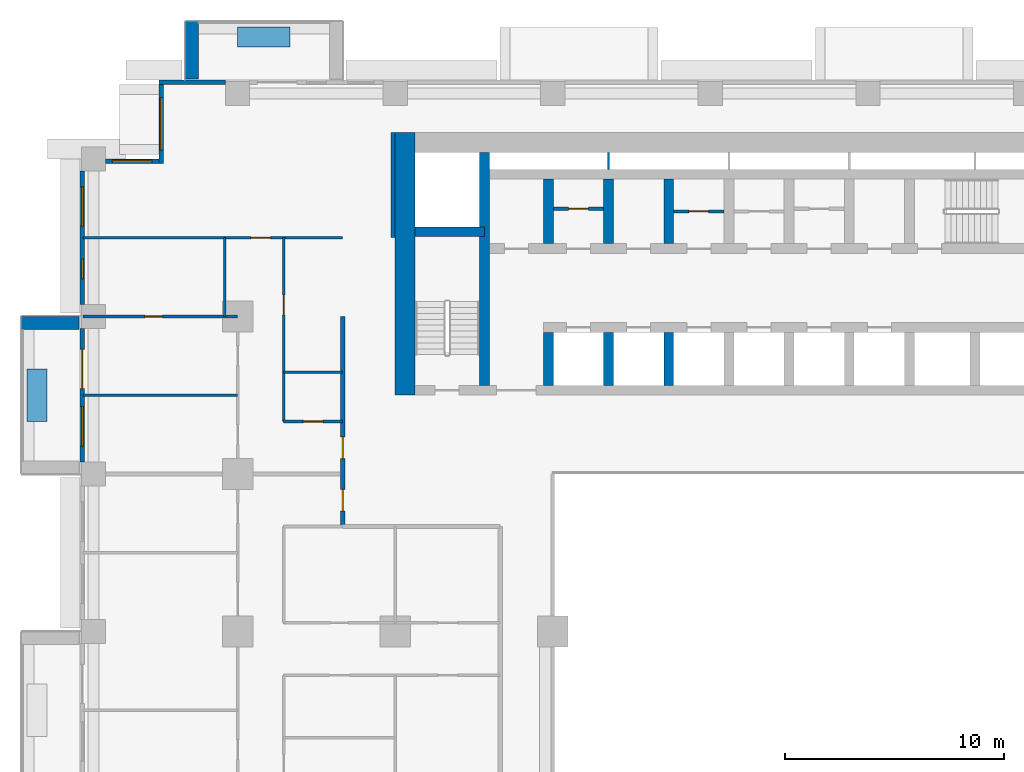
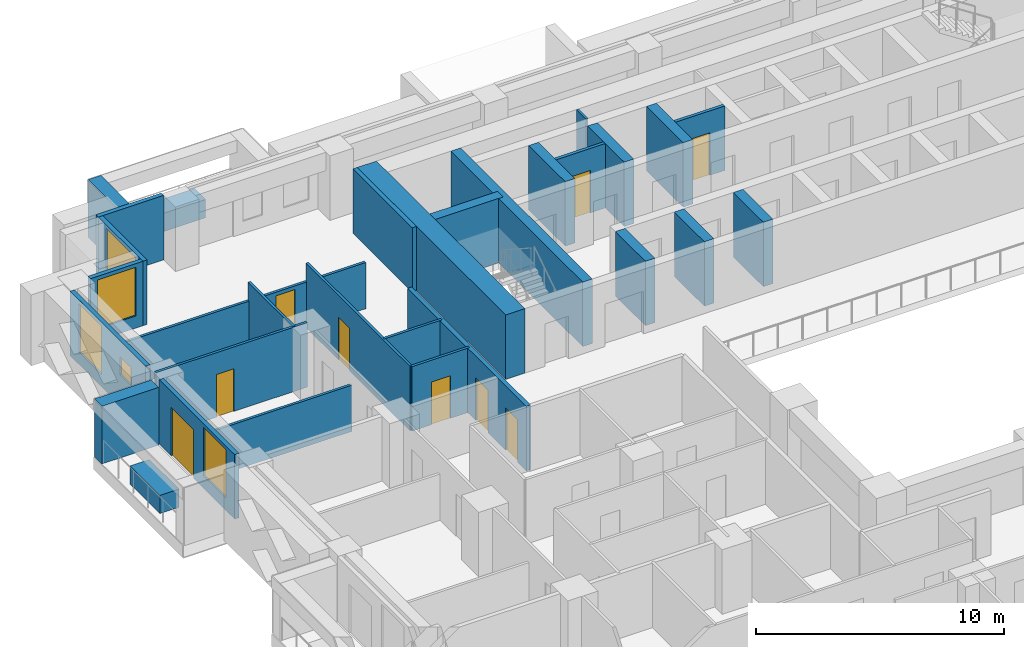
# One storey, part 9 of 17: 30 walls, 9 doors, 5 windows, 14 openings.
"""IFC4 building model written with IfcOpenShell, lengths in metres."""

from ifc_helpers import new_model, si_unit, direction, frame, frame_2d, origin, place, context, subcontext, project, spatial, rectangle, extrude, material, layer, layer_set, type_object, element, fill, save


model = new_model("IFC4")

# Units and contexts
model_context = context("Model", 3, precision=1e-05, world=origin(), true_north=direction((0.0, 1.0)))
body_context = subcontext(model_context, "Body", "Model", "MODEL_VIEW")
ifc_project = project(units=[si_unit("LENGTHUNIT", "METRE"), si_unit("AREAUNIT", "SQUARE_METRE"), si_unit("VOLUMEUNIT", "CUBIC_METRE"), si_unit("PLANEANGLEUNIT", "RADIAN"), si_unit("MASSUNIT", "GRAM", prefix="KILO")], contexts=[model_context])

# Site, building, storey
site_placement = place(None, origin())
site = spatial("IfcSite", under=ifc_project, at=site_placement, CompositionType="ELEMENT")
building_placement = place(site_placement, origin())
building = spatial("IfcBuilding", under=site, at=building_placement, Name="Saffron Iwan Residences", CompositionType="ELEMENT")
storey_placement = place(building_placement, frame((0.0, 0.0, 37.5)))
storey = spatial("IfcBuildingStorey", under=building, at=storey_placement, Name="L08", CompositionType="ELEMENT", Elevation=37.5)

# Walls
ifc_material_1 = material(Name="Concrete C50/60 white painted", Category="concrete")
ifc_layer_1 = layer(ifc_material_1, 0.60009765625)
ifc_layer_set_1 = layer_set([ifc_layer_1], Name="Concrete C50/60 white painted")
wall_type_1 = type_object("IfcWallType", Name="BALCONY FIN 600", PredefinedType="SOLIDWALL", material=ifc_layer_set_1)
for number, where, z_axis, x_axis, name in (
    (1, (19.5, 80.449951171875, 0.0), (0.0, 0.0, 1.0), (0.0, 1.0, 0.0), "Balcony fin L08 F5-3b"),
    (2, (14.35009765625, 69.300048828125, 0.0), (0.0, 0.0, 1.0), (-1.0, 0.0, 0.0), "Balcony fin L08 F8-0a"),
):
    element("IfcWall", number, at=place(storey_placement, frame(where, z_axis=z_axis, x_axis=x_axis)), inside=storey, type_object=wall_type_1, Name=name, PredefinedType="SOLIDWALL", context=body_context, shape_type="SweptSolid", body=[
        extrude(rectangle(XDim=2.650146484375, YDim=0.60009765625, at=frame_2d((1.3251953125, 0.0))), origin(), (0.0, 0.0, 1.0), 2.85009765625),
    ])
ifc_material_2 = material(Name="Concrete C35/45 white painted", Category="concrete")
ifc_layer_2 = layer(ifc_material_2, 0.14990234375)
ifc_layer_set_2 = layer_set([ifc_layer_2], Name="Concrete C35/45 white painted")
wall_type_2 = type_object("IfcWallType", Name="BALCONY PLANTER", PredefinedType="SOLIDWALL", material=ifc_layer_set_2)
for number, where, z_axis, x_axis, name in (
    (3, (24.0, 82.375, 0.0), (0.0, 0.0, 1.0), (-1.0, 0.0, 0.0), "PLANTER L08 F5-3"),
    (4, (12.425048828125, 67.199951171875, 0.0), (0.0, 0.0, 1.0), (0.0, -1.0, 0.0), "PLANTER L08 F8-0"),
):
    element("IfcWall", number, at=place(storey_placement, frame(where, z_axis=z_axis, x_axis=x_axis)), inside=storey, type_object=wall_type_2, Name=name, PredefinedType="SOLIDWALL", context=body_context, shape_type="SweptSolid", body=[
        extrude(rectangle(XDim=2.39990234375, YDim=0.89990234375, at=frame_2d((1.199951171875, 0.0))), origin(), (0.0, 0.0, 1.0), 0.89990234375),
    ])

# Wall, opening, door
ifc_material_3 = material(Name="Fire-rated plasterboard partition")
ifc_layer_3 = layer(ifc_material_3, 0.14990234375)
ifc_layer_set_3 = layer_set([ifc_layer_3], Name="Fire-rated plasterboard partition")
wall_type_3 = type_object("IfcWallType", Name="Core partition 150", PredefinedType="PARTITIONING", material=ifc_layer_set_3)
wall_1_placement = place(storey_placement, frame((36.02490234375, 74.51806640625, 0.0), z_axis=(0.0, 0.0, 1.0), x_axis=(1.0, 0.0, 0.0)))
wall_1 = element("IfcWall", 5, at=wall_1_placement, inside=storey, type_object=wall_type_3, Name="Core partition P01", PredefinedType="PARTITIONING", context=body_context, shape_type="SweptSolid", body=[
    extrude(rectangle(XDim=2.300048828125, YDim=0.14990234375, at=frame_2d((1.14990234375, 0.0))), origin(), (0.0, 0.0, 1.0), 3.179931640625),
])
opening_1_placement = place(wall_1_placement, frame((0.699951171875, 0.0, 0.0)))
opening_1 = element("IfcOpeningElement", 6, at=opening_1_placement, cuts=wall_1, Name="Opening SB", PredefinedType="OPENING", context=body_context, shape_type="SweptSolid", body=[
    extrude(rectangle(XDim=0.89990234375, YDim=2.10009765625, at=frame_2d((0.449951171875, 1.050048828125))), frame((0.0, 0.0849609375, 0.0), z_axis=(0.0, -1.0, 0.0), x_axis=(1.0, 0.0, 0.0)), (0.0, 0.0, 1.0), 0.169921875),
])
ifc_material_4 = material(Name="Steel fire door", Category="steel")
door_type_1 = type_object("IfcDoorType", Name="Store door 900", OperationType="NOTDEFINED", PredefinedType="DOOR", material=ifc_material_4)
door_1_placement = place(opening_1_placement, origin())
door_1 = element("IfcDoor", 7, at=door_1_placement, inside=storey, type_object=door_type_1, Name="Door Records store", OperationType="SINGLE_SWING_RIGHT", OverallHeight=2.10009765625, OverallWidth=0.89990234375, PredefinedType="DOOR", context=body_context, shape_type="SweptSolid", body=[
    extrude(rectangle(XDim=0.89990234375, YDim=2.10009765625, at=frame_2d((0.449951171875, 1.050048828125))), frame((0.0, 0.02490234375, 0.0), z_axis=(0.0, -1.0, 0.0), x_axis=(1.0, 0.0, 0.0)), (0.0, 0.0, 1.0), 0.050048828125),
])
fill(opening_1, door_1)

wall_2_placement = place(storey_placement, frame((41.52490234375, 74.39990234375, 0.0), z_axis=(0.0, 0.0, 1.0), x_axis=(1.0, 0.0, 0.0)))
wall_2 = element("IfcWall", 8, at=wall_2_placement, inside=storey, type_object=wall_type_3, Name="Core partition P02", PredefinedType="PARTITIONING", context=body_context, shape_type="SweptSolid", body=[
    extrude(rectangle(XDim=2.300048828125, YDim=0.14990234375, at=frame_2d((1.14990234375, 0.0))), origin(), (0.0, 0.0, 1.0), 3.179931640625),
])
opening_2_placement = place(wall_2_placement, frame((0.699951171875, 0.0, 0.0)))
opening_2 = element("IfcOpeningElement", 9, at=opening_2_placement, cuts=wall_2, Name="Opening SB", PredefinedType="OPENING", context=body_context, shape_type="SweptSolid", body=[
    extrude(rectangle(XDim=0.89990234375, YDim=2.10009765625, at=frame_2d((0.449951171875, 1.050048828125))), frame((0.0, 0.0849609375, 0.0), z_axis=(0.0, -1.0, 0.0), x_axis=(1.0, 0.0, 0.0)), (0.0, 0.0, 1.0), 0.169921875),
])
door_2_placement = place(opening_2_placement, origin())
door_2 = element("IfcDoor", 10, at=door_2_placement, inside=storey, type_object=door_type_1, Name="Door Tool store", OperationType="SINGLE_SWING_LEFT", OverallHeight=2.10009765625, OverallWidth=0.89990234375, PredefinedType="DOOR", context=body_context, shape_type="SweptSolid", body=[
    extrude(rectangle(XDim=0.89990234375, YDim=2.10009765625, at=frame_2d((0.449951171875, 1.050048828125))), frame((0.0, 0.02490234375, 0.0), z_axis=(0.0, -1.0, 0.0), x_axis=(1.0, 0.0, 0.0)), (0.0, 0.0, 1.0), 0.050048828125),
])
fill(opening_2, door_2)

# Wall
ifc_material_5 = material(Name="Concrete C40/50", Category="concrete")
ifc_layer_4 = layer(ifc_material_5, 0.199951171875)
ifc_layer_set_4 = layer_set([ifc_layer_4], Name="Concrete C40/50")
wall_type_4 = type_object("IfcWallType", Name="EXTERNAL WALL 200", PredefinedType="SOLIDWALL", material=ifc_layer_set_4)
wall_3_placement = place(storey_placement, frame((21.050048828125, 80.300048828125, 0.0), z_axis=(0.0, 0.0, 1.0), x_axis=(-1.0, 0.0, 0.0)))
element("IfcWall", 11, at=wall_3_placement, inside=storey, type_object=wall_type_4, Name="External wall L08 F5.9", PredefinedType="SOLIDWALL", context=body_context, shape_type="SweptSolid", body=[
    extrude(rectangle(XDim=3.050048828125, YDim=0.199951171875, at=frame_2d((1.52490234375, 0.0))), origin(), (0.0, 0.0, 1.0), 3.179931640625),
])

# Wall, opening, window
wall_4_placement = place(storey_placement, frame((18.10009765625, 80.199951171875, 0.0), z_axis=(0.0, 0.0, 1.0), x_axis=(0.0, -1.0, 0.0)))
wall_4 = element("IfcWall", 12, at=wall_4_placement, inside=storey, type_object=wall_type_4, Name="External wall L08 F6.0", PredefinedType="SOLIDWALL", context=body_context, shape_type="SweptSolid", body=[
    extrude(rectangle(XDim=3.599853515625, YDim=0.199951171875, at=frame_2d((1.7998046875, 0.0))), origin(), (0.0, 0.0, 1.0), 3.179931640625),
])
opening_3_placement = place(wall_4_placement, frame((0.60009765625, 0.0, 0.60009765625)))
opening_3 = element("IfcOpeningElement", 13, at=opening_3_placement, cuts=wall_4, Name="Opening W1", PredefinedType="OPENING", context=body_context, shape_type="SweptSolid", body=[
    extrude(rectangle(XDim=2.39990234375, YDim=2.39990234375, at=frame_2d((1.199951171875, 1.199951171875))), frame((0.0, 0.10986328125, 0.0), z_axis=(0.0, -1.0, 0.0), x_axis=(1.0, 0.0, 0.0)), (0.0, 0.0, 1.0), 0.219970703125),
])
ifc_material_6 = material(Name="Clear glass, laminated double glazed", Category="glass")
window_type_1 = type_object("IfcWindowType", Name="WINDOW 2400 x 2400", PartitioningType="DOUBLE_PANEL_VERTICAL", PredefinedType="WINDOW", material=ifc_material_6)
window_1_placement = place(opening_3_placement, origin())
window_1 = element("IfcWindow", 14, at=window_1_placement, inside=storey, type_object=window_type_1, Name="Window L08 F6.0", OverallHeight=2.39990234375, OverallWidth=2.39990234375, PartitioningType="DOUBLE_PANEL_VERTICAL", PredefinedType="WINDOW", context=body_context, shape_type="SweptSolid", body=[
    extrude(rectangle(XDim=2.39990234375, YDim=2.39990234375, at=frame_2d((1.199951171875, 1.199951171875))), frame((0.0, 0.030029296875, 0.0), z_axis=(0.0, -1.0, 0.0), x_axis=(1.0, 0.0, 0.0)), (0.0, 0.0, 1.0), 0.06005859375),
])
fill(opening_3, window_1)

wall_5_placement = place(storey_placement, frame((18.0, 76.699951171875, 0.0), z_axis=(0.0, 0.0, 1.0), x_axis=(-1.0, 0.0, 0.0)))
wall_5 = element("IfcWall", 15, at=wall_5_placement, inside=storey, type_object=wall_type_4, Name="External wall L08 F7.0", PredefinedType="SOLIDWALL", context=body_context, shape_type="SweptSolid", body=[
    extrude(rectangle(XDim=2.449951171875, YDim=0.199951171875, at=frame_2d((1.22509765625, 0.0))), origin(), (0.0, 0.0, 1.0), 3.179931640625),
])
opening_4_placement = place(wall_5_placement, frame((0.324951171875, 0.0, 0.60009765625)))
opening_4 = element("IfcOpeningElement", 16, at=opening_4_placement, cuts=wall_5, Name="Opening W8", PredefinedType="OPENING", context=body_context, shape_type="SweptSolid", body=[
    extrude(rectangle(XDim=1.800048828125, YDim=2.39990234375, at=frame_2d((0.89990234375, 1.199951171875))), frame((0.0, 0.10986328125, 0.0), z_axis=(0.0, -1.0, 0.0), x_axis=(1.0, 0.0, 0.0)), (0.0, 0.0, 1.0), 0.219970703125),
])
window_type_2 = type_object("IfcWindowType", Name="WINDOW 1800 x 2400", PartitioningType="DOUBLE_PANEL_VERTICAL", PredefinedType="WINDOW", material=ifc_material_6)
window_2_placement = place(opening_4_placement, origin())
window_2 = element("IfcWindow", 17, at=window_2_placement, inside=storey, type_object=window_type_2, Name="Window L08 F7.0", OverallHeight=2.39990234375, OverallWidth=1.800048828125, PartitioningType="DOUBLE_PANEL_VERTICAL", PredefinedType="WINDOW", context=body_context, shape_type="SweptSolid", body=[
    extrude(rectangle(XDim=1.800048828125, YDim=2.39990234375, at=frame_2d((0.89990234375, 1.199951171875))), frame((0.0, 0.030029296875, 0.0), z_axis=(0.0, -1.0, 0.0), x_axis=(1.0, 0.0, 0.0)), (0.0, 0.0, 1.0), 0.06005859375),
])
fill(opening_4, window_2)

# Wall, openings, windows
wall_6_placement = place(storey_placement, frame((14.5, 76.25, 0.0), z_axis=(0.0, 0.0, 1.0), x_axis=(0.0, -1.0, 0.0)))
wall_6 = element("IfcWall", 18, at=wall_6_placement, inside=storey, type_object=wall_type_4, Name="External wall L08 F8.0", PredefinedType="SOLIDWALL", context=body_context, shape_type="SweptSolid", body=[
    extrude(rectangle(XDim=6.10009765625, YDim=0.199951171875, at=frame_2d((3.050048828125, 0.0))), origin(), (0.0, 0.0, 1.0), 3.179931640625),
])
opening_5_placement = place(wall_6_placement, frame((4.02490234375, 0.0, 1.5)))
opening_5 = element("IfcOpeningElement", 19, at=opening_5_placement, cuts=wall_6, Name="Opening W6", PredefinedType="OPENING", context=body_context, shape_type="SweptSolid", body=[
    extrude(rectangle(XDim=0.89990234375, YDim=0.89990234375, at=frame_2d((0.449951171875, 0.449951171875))), frame((0.0, 0.10986328125, 0.0), z_axis=(0.0, -1.0, 0.0), x_axis=(1.0, 0.0, 0.0)), (0.0, 0.0, 1.0), 0.219970703125),
])
opening_6_placement = place(wall_6_placement, frame((0.72509765625, 0.0, 0.60009765625)))
opening_6 = element("IfcOpeningElement", 20, at=opening_6_placement, cuts=wall_6, Name="Opening W8", PredefinedType="OPENING", context=body_context, shape_type="SweptSolid", body=[
    extrude(rectangle(XDim=1.800048828125, YDim=2.39990234375, at=frame_2d((0.89990234375, 1.199951171875))), frame((0.0, 0.10986328125, 0.0), z_axis=(0.0, -1.0, 0.0), x_axis=(1.0, 0.0, 0.0)), (0.0, 0.0, 1.0), 0.219970703125),
])
window_3_placement = place(opening_6_placement, origin())
window_3 = element("IfcWindow", 21, at=window_3_placement, inside=storey, type_object=window_type_2, Name="Window L08 F8.1", OverallHeight=2.39990234375, OverallWidth=1.800048828125, PartitioningType="DOUBLE_PANEL_VERTICAL", PredefinedType="WINDOW", context=body_context, shape_type="SweptSolid", body=[
    extrude(rectangle(XDim=1.800048828125, YDim=2.39990234375, at=frame_2d((0.89990234375, 1.199951171875))), frame((0.0, 0.030029296875, 0.0), z_axis=(0.0, -1.0, 0.0), x_axis=(1.0, 0.0, 0.0)), (0.0, 0.0, 1.0), 0.06005859375),
])
fill(opening_6, window_3)
window_type_3 = type_object("IfcWindowType", Name="WINDOW 900 x 900 BATH", PartitioningType="SINGLE_PANEL", PredefinedType="WINDOW", material=ifc_material_6)
window_4_placement = place(opening_5_placement, origin())
window_4 = element("IfcWindow", 22, at=window_4_placement, inside=storey, type_object=window_type_3, Name="Window L08 F8.0", OverallHeight=0.89990234375, OverallWidth=0.89990234375, PartitioningType="SINGLE_PANEL", PredefinedType="WINDOW", context=body_context, shape_type="SweptSolid", body=[
    extrude(rectangle(XDim=0.89990234375, YDim=0.89990234375, at=frame_2d((0.449951171875, 0.449951171875))), frame((0.0, 0.030029296875, 0.0), z_axis=(0.0, -1.0, 0.0), x_axis=(1.0, 0.0, 0.0)), (0.0, 0.0, 1.0), 0.06005859375),
])
fill(opening_5, window_4)

# Wall, openings, door, window
wall_7_placement = place(storey_placement, frame((14.5, 69.050048828125, 0.0), z_axis=(0.0, 0.0, 1.0), x_axis=(0.0, -1.0, 0.0)))
wall_7 = element("IfcWall", 23, at=wall_7_placement, inside=storey, type_object=wall_type_4, Name="External wall L08 F8.1", PredefinedType="SOLIDWALL", context=body_context, shape_type="SweptSolid", body=[
    extrude(rectangle(XDim=6.10009765625, YDim=0.199951171875, at=frame_2d((3.050048828125, 0.0))), origin(), (0.0, 0.0, 1.0), 3.179931640625),
])
opening_7_placement = place(wall_7_placement, frame((0.949951171875, 0.0, 0.0)))
opening_7 = element("IfcOpeningElement", 24, at=opening_7_placement, cuts=wall_7, Name="Opening BD1", PredefinedType="OPENING", context=body_context, shape_type="SweptSolid", body=[
    extrude(rectangle(XDim=1.800048828125, YDim=2.39990234375, at=frame_2d((0.89990234375, 1.199951171875))), frame((0.0, 0.10986328125, 0.0), z_axis=(0.0, -1.0, 0.0), x_axis=(1.0, 0.0, 0.0)), (0.0, 0.0, 1.0), 0.219970703125),
])
opening_8_placement = place(wall_7_placement, frame((3.574951171875, 0.0, 0.60009765625)))
opening_8 = element("IfcOpeningElement", 25, at=opening_8_placement, cuts=wall_7, Name="Opening W8", PredefinedType="OPENING", context=body_context, shape_type="SweptSolid", body=[
    extrude(rectangle(XDim=1.800048828125, YDim=2.39990234375, at=frame_2d((0.89990234375, 1.199951171875))), frame((0.0, 0.10986328125, 0.0), z_axis=(0.0, -1.0, 0.0), x_axis=(1.0, 0.0, 0.0)), (0.0, 0.0, 1.0), 0.219970703125),
])
door_type_2 = type_object("IfcDoorType", Name="BALCONY DOOR 1800 x 2400", OperationType="DOUBLE_DOOR_SLIDING", PredefinedType="DOOR", material=ifc_material_6)
door_3_placement = place(opening_7_placement, origin())
door_3 = element("IfcDoor", 26, at=door_3_placement, inside=storey, type_object=door_type_2, Name="Balcony door L08 F8.0", OperationType="DOUBLE_DOOR_SLIDING", OverallHeight=2.39990234375, OverallWidth=1.800048828125, PredefinedType="DOOR", context=body_context, shape_type="SweptSolid", body=[
    extrude(rectangle(XDim=1.800048828125, YDim=2.39990234375, at=frame_2d((0.89990234375, 1.199951171875))), frame((0.0, 0.02490234375, 0.0), z_axis=(0.0, -1.0, 0.0), x_axis=(1.0, 0.0, 0.0)), (0.0, 0.0, 1.0), 0.050048828125),
])
fill(opening_7, door_3)
window_5_placement = place(opening_8_placement, origin())
window_5 = element("IfcWindow", 27, at=window_5_placement, inside=storey, type_object=window_type_2, Name="Window L08 F8.1", OverallHeight=2.39990234375, OverallWidth=1.800048828125, PartitioningType="DOUBLE_PANEL_VERTICAL", PredefinedType="WINDOW", context=body_context, shape_type="SweptSolid", body=[
    extrude(rectangle(XDim=1.800048828125, YDim=2.39990234375, at=frame_2d((0.89990234375, 1.199951171875))), frame((0.0, 0.030029296875, 0.0), z_axis=(0.0, -1.0, 0.0), x_axis=(1.0, 0.0, 0.0)), (0.0, 0.0, 1.0), 0.06005859375),
])
fill(opening_8, window_5)

# Wall, opening, door
ifc_material_7 = material(Name="Gypsum board partition")
ifc_layer_5 = layer(ifc_material_7, 0.1201171875)
ifc_layer_set_5 = layer_set([ifc_layer_5], Name="Gypsum board partition")
wall_type_5 = type_object("IfcWallType", Name="Flat partition 120", PredefinedType="PARTITIONING", material=ifc_layer_set_5)
wall_8_placement = place(storey_placement, frame((23.699951171875, 64.800048828125, 0.0), z_axis=(0.0, 0.0, 1.0), x_axis=(1.0, 0.0, 0.0)))
wall_8 = element("IfcWall", 28, at=wall_8_placement, inside=storey, type_object=wall_type_5, Name="W-L08-PART-h64.8-23.7", PredefinedType="PARTITIONING", context=body_context, shape_type="SweptSolid", body=[
    extrude(rectangle(XDim=2.699951171875, YDim=0.1201171875, at=frame_2d((1.35009765625, 0.0))), origin(), (0.0, 0.0, 1.0), 3.179931640625),
])
opening_9_placement = place(wall_8_placement, frame((0.89990234375, 0.0, 0.0)))
opening_9 = element("IfcOpeningElement", 29, at=opening_9_placement, cuts=wall_8, Name="Opening FD2", PredefinedType="OPENING", context=body_context, shape_type="SweptSolid", body=[
    extrude(rectangle(XDim=0.89990234375, YDim=2.10009765625, at=frame_2d((0.449951171875, 1.050048828125))), frame((0.0, 0.070068359375, 0.0), z_axis=(0.0, -1.0, 0.0), x_axis=(1.0, 0.0, 0.0)), (0.0, 0.0, 1.0), 0.14013671875),
])
ifc_material_8 = material(Name="Timber door", Category="wood")
door_type_3 = type_object("IfcDoorType", Name="Flat door 900", OperationType="NOTDEFINED", PredefinedType="DOOR", material=ifc_material_8)
door_4_placement = place(opening_9_placement, origin())
door_4 = element("IfcDoor", 30, at=door_4_placement, inside=storey, type_object=door_type_3, Name="Door L08-033", OperationType="SINGLE_SWING_LEFT", OverallHeight=2.10009765625, OverallWidth=0.89990234375, PredefinedType="DOOR", context=body_context, shape_type="SweptSolid", body=[
    extrude(rectangle(XDim=0.89990234375, YDim=2.10009765625, at=frame_2d((0.449951171875, 1.050048828125))), frame((0.0, 0.02490234375, 0.0), z_axis=(0.0, -1.0, 0.0), x_axis=(1.0, 0.0, 0.0)), (0.0, 0.0, 1.0), 0.050048828125),
])
fill(opening_9, door_4)

# Walls
wall_9_placement = place(storey_placement, frame((14.52490234375, 66.0, 0.0), z_axis=(0.0, 0.0, 1.0), x_axis=(1.0, 0.0, 0.0)))
element("IfcWall", 31, at=wall_9_placement, inside=storey, type_object=wall_type_5, Name="W-L08-PART-h66-14.525", PredefinedType="PARTITIONING", context=body_context, shape_type="SweptSolid", body=[
    extrude(rectangle(XDim=7.0751953125, YDim=0.1201171875, at=frame_2d((3.53759765625, 0.0))), origin(), (0.0, 0.0, 1.0), 2.280029296875),
])
wall_10_placement = place(storey_placement, frame((23.699951171875, 67.050048828125, 0.0), z_axis=(0.0, 0.0, 1.0), x_axis=(1.0, 0.0, 0.0)))
element("IfcWall", 32, at=wall_10_placement, inside=storey, type_object=wall_type_5, Name="W-L08-PART-h67.05-23.7", PredefinedType="PARTITIONING", context=body_context, shape_type="SweptSolid", body=[
    extrude(rectangle(XDim=2.699951171875, YDim=0.1201171875, at=frame_2d((1.35009765625, 0.0))), origin(), (0.0, 0.0, 1.0), 3.179931640625),
])

# Wall, opening, door
wall_11_placement = place(storey_placement, frame((14.52490234375, 69.60009765625, 0.0), z_axis=(0.0, 0.0, 1.0), x_axis=(1.0, 0.0, 0.0)))
wall_11 = element("IfcWall", 33, at=wall_11_placement, inside=storey, type_object=wall_type_5, Name="W-L08-PART-h69.6-14.525", PredefinedType="PARTITIONING", context=body_context, shape_type="SweptSolid", body=[
    extrude(rectangle(XDim=7.0751953125, YDim=0.1201171875, at=frame_2d((3.53759765625, 0.0))), origin(), (0.0, 0.0, 1.0), 3.179931640625),
])
opening_10_placement = place(wall_11_placement, frame((2.83740234375, 0.0, 0.0)))
opening_10 = element("IfcOpeningElement", 34, at=opening_10_placement, cuts=wall_11, Name="Opening FD3", PredefinedType="OPENING", context=body_context, shape_type="SweptSolid", body=[
    extrude(rectangle(XDim=0.800048828125, YDim=2.10009765625, at=frame_2d((0.39990234375, 1.050048828125))), frame((0.0, 0.070068359375, 0.0), z_axis=(0.0, -1.0, 0.0), x_axis=(1.0, 0.0, 0.0)), (0.0, 0.0, 1.0), 0.14013671875),
])
door_type_4 = type_object("IfcDoorType", Name="Bathroom door 800", OperationType="NOTDEFINED", PredefinedType="DOOR", material=ifc_material_8)
door_5_placement = place(opening_10_placement, origin())
door_5 = element("IfcDoor", 35, at=door_5_placement, inside=storey, type_object=door_type_4, Name="Door L08-031", OperationType="SINGLE_SWING_LEFT", OverallHeight=2.10009765625, OverallWidth=0.800048828125, PredefinedType="DOOR", context=body_context, shape_type="SweptSolid", body=[
    extrude(rectangle(XDim=0.800048828125, YDim=2.10009765625, at=frame_2d((0.39990234375, 1.050048828125))), frame((0.0, 0.02490234375, 0.0), z_axis=(0.0, -1.0, 0.0), x_axis=(1.0, 0.0, 0.0)), (0.0, 0.0, 1.0), 0.050048828125),
])
fill(opening_10, door_5)

wall_12_placement = place(storey_placement, frame((14.52490234375, 73.199951171875, 0.0), z_axis=(0.0, 0.0, 1.0), x_axis=(1.0, 0.0, 0.0)))
wall_12 = element("IfcWall", 36, at=wall_12_placement, inside=storey, type_object=wall_type_5, Name="W-L08-PART-h73.2-14.525", PredefinedType="PARTITIONING", context=body_context, shape_type="SweptSolid", body=[
    extrude(rectangle(XDim=11.875, YDim=0.1201171875, at=frame_2d((5.9375, 0.0))), origin(), (0.0, 0.0, 1.0), 2.280029296875),
])
opening_11_placement = place(wall_12_placement, frame((7.675048828125, 0.0, 0.0)))
opening_11 = element("IfcOpeningElement", 37, at=opening_11_placement, cuts=wall_12, Name="Opening FD2", PredefinedType="OPENING", context=body_context, shape_type="SweptSolid", body=[
    extrude(rectangle(XDim=0.89990234375, YDim=2.10009765625, at=frame_2d((0.449951171875, 1.050048828125))), frame((0.0, 0.070068359375, 0.0), z_axis=(0.0, -1.0, 0.0), x_axis=(1.0, 0.0, 0.0)), (0.0, 0.0, 1.0), 0.14013671875),
])
door_6_placement = place(opening_11_placement, origin())
door_6 = element("IfcDoor", 38, at=door_6_placement, inside=storey, type_object=door_type_3, Name="Door L08-032", OperationType="SINGLE_SWING_RIGHT", OverallHeight=2.10009765625, OverallWidth=0.89990234375, PredefinedType="DOOR", context=body_context, shape_type="SweptSolid", body=[
    extrude(rectangle(XDim=0.89990234375, YDim=2.10009765625, at=frame_2d((0.449951171875, 1.050048828125))), frame((0.0, 0.02490234375, 0.0), z_axis=(0.0, -1.0, 0.0), x_axis=(1.0, 0.0, 0.0)), (0.0, 0.0, 1.0), 0.050048828125),
])
fill(opening_11, door_6)

# Wall
wall_13_placement = place(storey_placement, frame((21.0, 69.60009765625, 0.0), z_axis=(0.0, 0.0, 1.0), x_axis=(0.0, 1.0, 0.0)))
element("IfcWall", 39, at=wall_13_placement, inside=storey, type_object=wall_type_5, Name="W-L08-PART-v21-69.6", PredefinedType="PARTITIONING", context=body_context, shape_type="SweptSolid", body=[
    extrude(rectangle(XDim=3.599853515625, YDim=0.1201171875, at=frame_2d((1.7998046875, 0.0))), origin(), (0.0, 0.0, 1.0), 3.179931640625),
])

# Wall, opening, door
wall_14_placement = place(storey_placement, frame((23.699951171875, 64.800048828125, 0.0), z_axis=(0.0, 0.0, 1.0), x_axis=(0.0, 1.0, 0.0)))
wall_14 = element("IfcWall", 40, at=wall_14_placement, inside=storey, type_object=wall_type_5, Name="W-L08-PART-v23.7-64.8", PredefinedType="PARTITIONING", context=body_context, shape_type="SweptSolid", body=[
    extrude(rectangle(XDim=8.39990234375, YDim=0.1201171875, at=frame_2d((4.199951171875, 0.0))), origin(), (0.0, 0.0, 1.0), 3.179931640625),
])
opening_12_placement = place(wall_14_placement, frame((4.875, 0.0, 0.0)))
opening_12 = element("IfcOpeningElement", 41, at=opening_12_placement, cuts=wall_14, Name="Opening FD2", PredefinedType="OPENING", context=body_context, shape_type="SweptSolid", body=[
    extrude(rectangle(XDim=0.89990234375, YDim=2.10009765625, at=frame_2d((0.449951171875, 1.050048828125))), frame((0.0, 0.070068359375, 0.0), z_axis=(0.0, -1.0, 0.0), x_axis=(1.0, 0.0, 0.0)), (0.0, 0.0, 1.0), 0.14013671875),
])
door_7_placement = place(opening_12_placement, origin())
door_7 = element("IfcDoor", 42, at=door_7_placement, inside=storey, type_object=door_type_3, Name="Door L08-034", OperationType="SINGLE_SWING_LEFT", OverallHeight=2.10009765625, OverallWidth=0.89990234375, PredefinedType="DOOR", context=body_context, shape_type="SweptSolid", body=[
    extrude(rectangle(XDim=0.89990234375, YDim=2.10009765625, at=frame_2d((0.449951171875, 1.050048828125))), frame((0.0, 0.02490234375, 0.0), z_axis=(0.0, -1.0, 0.0), x_axis=(1.0, 0.0, 0.0)), (0.0, 0.0, 1.0), 0.050048828125),
])
fill(opening_12, door_7)

# Wall, openings, doors
ifc_material_9 = material(Name="Fire-rated gypsum board wall")
ifc_layer_6 = layer(ifc_material_9, 0.199951171875)
ifc_layer_set_6 = layer_set([ifc_layer_6], Name="Fire-rated gypsum board wall")
wall_type_6 = type_object("IfcWallType", Name="Gallery wall 200", PredefinedType="SOLIDWALL", material=ifc_layer_set_6)
wall_15_placement = place(storey_placement, frame((26.39990234375, 60.0, 0.0), z_axis=(0.0, 0.0, 1.0), x_axis=(0.0, 1.0, 0.0)))
wall_15 = element("IfcWall", 43, at=wall_15_placement, inside=storey, type_object=wall_type_6, Name="W-L08-CORR-v26.4-60", PredefinedType="SOLIDWALL", context=body_context, shape_type="SweptSolid", body=[
    extrude(rectangle(XDim=9.60009765625, YDim=0.199951171875, at=frame_2d((4.800048828125, 0.0))), origin(), (0.0, 0.0, 1.0), 3.179931640625),
])
opening_13_placement = place(wall_15_placement, frame((0.699951171875, 0.0, 0.0)))
opening_13 = element("IfcOpeningElement", 44, at=opening_13_placement, cuts=wall_15, Name="Opening FD1", PredefinedType="OPENING", context=body_context, shape_type="SweptSolid", body=[
    extrude(rectangle(XDim=1.0, YDim=2.10009765625, at=frame_2d((0.5, 1.050048828125))), frame((0.0, 0.10986328125, 0.0), z_axis=(0.0, -1.0, 0.0), x_axis=(1.0, 0.0, 0.0)), (0.0, 0.0, 1.0), 0.219970703125),
])
opening_14_placement = place(wall_15_placement, frame((3.10009765625, 0.0, 0.0)))
opening_14 = element("IfcOpeningElement", 45, at=opening_14_placement, cuts=wall_15, Name="Opening FD1", PredefinedType="OPENING", context=body_context, shape_type="SweptSolid", body=[
    extrude(rectangle(XDim=1.0, YDim=2.10009765625, at=frame_2d((0.5, 1.050048828125))), frame((0.0, 0.10986328125, 0.0), z_axis=(0.0, -1.0, 0.0), x_axis=(1.0, 0.0, 0.0)), (0.0, 0.0, 1.0), 0.219970703125),
])
ifc_material_10 = material(Name="Fire-rated timber door", Category="wood")
door_type_5 = type_object("IfcDoorType", Name="FD30S flat entrance door 1000", OperationType="NOTDEFINED", PredefinedType="DOOR", material=ifc_material_10)
door_8_placement = place(opening_13_placement, origin())
door_8 = element("IfcDoor", 46, at=door_8_placement, inside=storey, type_object=door_type_5, Name="Door L08-012", OperationType="SINGLE_SWING_LEFT", OverallHeight=2.10009765625, OverallWidth=1.0, PredefinedType="DOOR", context=body_context, shape_type="SweptSolid", body=[
    extrude(rectangle(XDim=1.0, YDim=2.10009765625, at=frame_2d((0.5, 1.050048828125))), frame((0.0, 0.02490234375, 0.0), z_axis=(0.0, -1.0, 0.0), x_axis=(1.0, 0.0, 0.0)), (0.0, 0.0, 1.0), 0.050048828125),
])
fill(opening_13, door_8)
door_9_placement = place(opening_14_placement, origin())
door_9 = element("IfcDoor", 47, at=door_9_placement, inside=storey, type_object=door_type_5, Name="Door L08-028", OperationType="SINGLE_SWING_LEFT", OverallHeight=2.10009765625, OverallWidth=1.0, PredefinedType="DOOR", context=body_context, shape_type="SweptSolid", body=[
    extrude(rectangle(XDim=1.0, YDim=2.10009765625, at=frame_2d((0.5, 1.050048828125))), frame((0.0, 0.02490234375, 0.0), z_axis=(0.0, -1.0, 0.0), x_axis=(1.0, 0.0, 0.0)), (0.0, 0.0, 1.0), 0.050048828125),
])
fill(opening_14, door_9)

# Walls
wall_16_placement = place(storey_placement, frame((28.699951171875, 73.199951171875, 0.0), z_axis=(0.0, 0.0, 1.0), x_axis=(0.0, 1.0, 0.0)))
element("IfcWall", 48, at=wall_16_placement, inside=storey, type_object=wall_type_6, Name="W-L08-CORR-v28.8-73.2", PredefinedType="SOLIDWALL", context=body_context, shape_type="SweptSolid", body=[
    extrude(rectangle(XDim=4.800048828125, YDim=0.199951171875, at=frame_2d((2.39990234375, 0.0))), origin(), (0.0, 0.0, 1.0), 3.179931640625),
])
ifc_layer_7 = layer(ifc_material_3, 0.10009765625)
ifc_layer_set_7 = layer_set([ifc_layer_7], Name="Fire-rated plasterboard partition")
wall_type_7 = type_object("IfcWallType", Name="Riser partition 100", PredefinedType="PARTITIONING", material=ifc_layer_set_7)
wall_17_placement = place(storey_placement, frame((38.550048828125, 76.324951171875, 0.0), z_axis=(0.0, 0.0, 1.0), x_axis=(0.0, 1.0, 0.0)))
element("IfcWall", 49, at=wall_17_placement, inside=storey, type_object=wall_type_7, Name="Core partition P05", PredefinedType="PARTITIONING", context=body_context, shape_type="SweptSolid", body=[
    extrude(rectangle(XDim=0.775146484375, YDim=0.10009765625, at=frame_2d((0.3876953125, 0.0))), origin(), (0.0, 0.0, 1.0), 3.179931640625),
])
ifc_material_11 = material(Name="Concrete C60/75", Category="concrete")
ifc_layer_8 = layer(ifc_material_11, 0.449951171875)
ifc_layer_set_8 = layer_set([ifc_layer_8], Name="Concrete C60/75")
wall_type_8 = type_object("IfcWallType", Name="WALL CORE 450 C60/75 3180 HIGH", PredefinedType="SHEAR", material=ifc_layer_set_8)
wall_18_placement = place(storey_placement, frame((29.699951171875, 73.47509765625, 0.0), z_axis=(0.0, 0.0, 1.0), x_axis=(1.0, 0.0, 0.0)))
element("IfcWall", 50, at=wall_18_placement, inside=storey, type_object=wall_type_8, Name="Core wall", PredefinedType="SHEAR", context=body_context, shape_type="SweptSolid", body=[
    extrude(rectangle(XDim=3.175048828125, YDim=0.449951171875, at=frame_2d((1.58740234375, 0.0))), origin(), (0.0, 0.0, 1.0), 3.179931640625),
])
wall_19_placement = place(storey_placement, frame((32.875, 66.449951171875, 0.0), z_axis=(0.0, 0.0, 1.0), x_axis=(0.0, 1.0, 0.0)))
element("IfcWall", 51, at=wall_19_placement, inside=storey, type_object=wall_type_8, Name="Core wall", PredefinedType="SHEAR", context=body_context, shape_type="SweptSolid", body=[
    extrude(rectangle(XDim=10.650146484375, YDim=0.449951171875, at=frame_2d((5.3251953125, 0.0))), origin(), (0.0, 0.0, 1.0), 3.179931640625),
])
for number, where, z_axis, x_axis, name in (
    (52, (35.800048828125, 66.449951171875, 0.0), (0.0, 0.0, 1.0), (0.0, 1.0, 0.0), "Core wall"),
    (53, (38.550048828125, 66.449951171875, 0.0), (0.0, 0.0, 1.0), (0.0, 1.0, 0.0), "Core wall"),
    (54, (41.300048828125, 66.449951171875, 0.0), (0.0, 0.0, 1.0), (0.0, 1.0, 0.0), "Core wall"),
):
    element("IfcWall", number, at=place(storey_placement, frame(where, z_axis=z_axis, x_axis=x_axis)), inside=storey, type_object=wall_type_8, Name=name, PredefinedType="SHEAR", context=body_context, shape_type="SweptSolid", body=[
        extrude(rectangle(XDim=2.425048828125, YDim=0.449951171875, at=frame_2d((1.21240234375, 0.0))), origin(), (0.0, 0.0, 1.0), 3.179931640625),
    ])
for number, where, z_axis, x_axis, name in (
    (55, (35.800048828125, 72.925048828125, 0.0), (0.0, 0.0, 1.0), (0.0, 1.0, 0.0), "Core wall"),
    (56, (38.550048828125, 72.925048828125, 0.0), (0.0, 0.0, 1.0), (0.0, 1.0, 0.0), "Core wall"),
    (57, (41.300048828125, 72.925048828125, 0.0), (0.0, 0.0, 1.0), (0.0, 1.0, 0.0), "Core wall"),
):
    element("IfcWall", number, at=place(storey_placement, frame(where, z_axis=z_axis, x_axis=x_axis)), inside=storey, type_object=wall_type_8, Name=name, PredefinedType="SHEAR", context=body_context, shape_type="SweptSolid", body=[
        extrude(rectangle(XDim=2.949951171875, YDim=0.449951171875, at=frame_2d((1.47509765625, 0.0))), origin(), (0.0, 0.0, 1.0), 3.179931640625),
    ])
ifc_layer_9 = layer(ifc_material_11, 0.89990234375)
ifc_layer_set_9 = layer_set([ifc_layer_9], Name="Concrete C60/75")
wall_type_9 = type_object("IfcWallType", Name="WALL CORE 900 C60/75 3180 HIGH", PredefinedType="SHEAR", material=ifc_layer_set_9)
wall_20_placement = place(storey_placement, frame((29.25, 66.0, 0.0), z_axis=(0.0, 0.0, 1.0), x_axis=(0.0, 1.0, 0.0)))
element("IfcWall", 58, at=wall_20_placement, inside=storey, type_object=wall_type_9, Name="Core wall", PredefinedType="SHEAR", context=body_context, shape_type="SweptSolid", body=[
    extrude(rectangle(XDim=12.0, YDim=0.89990234375, at=frame_2d((6.0, 0.0))), origin(), (0.0, 0.0, 1.0), 3.179931640625),
])

save(model, "model.ifc")
